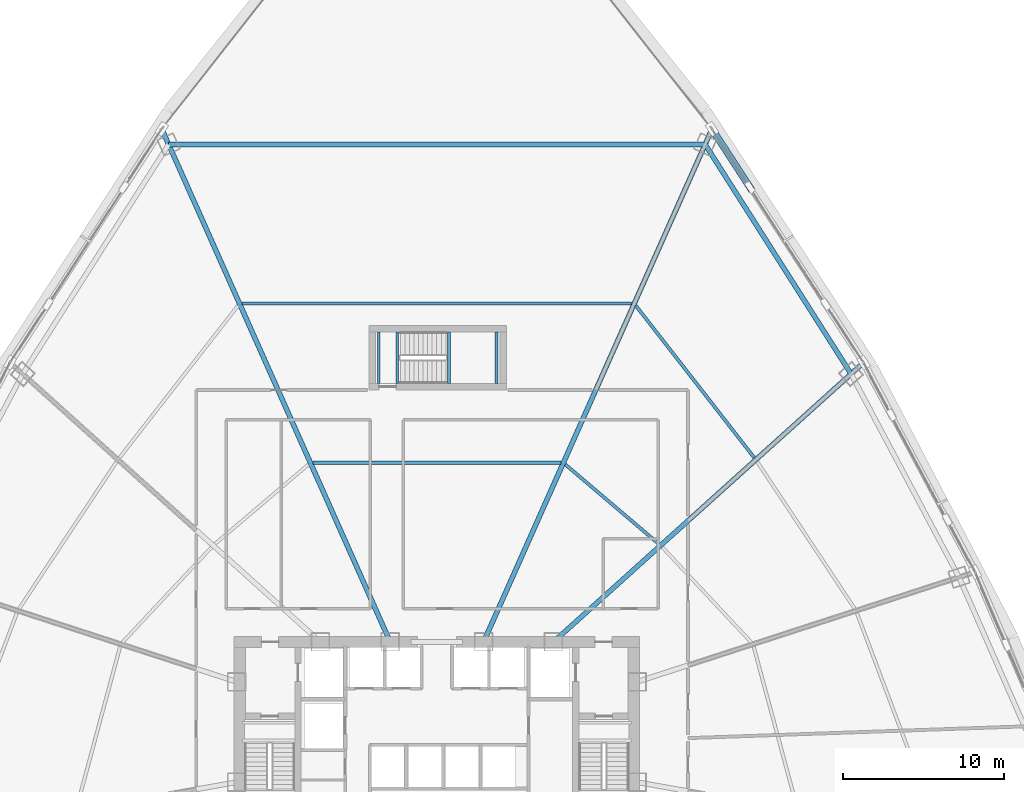
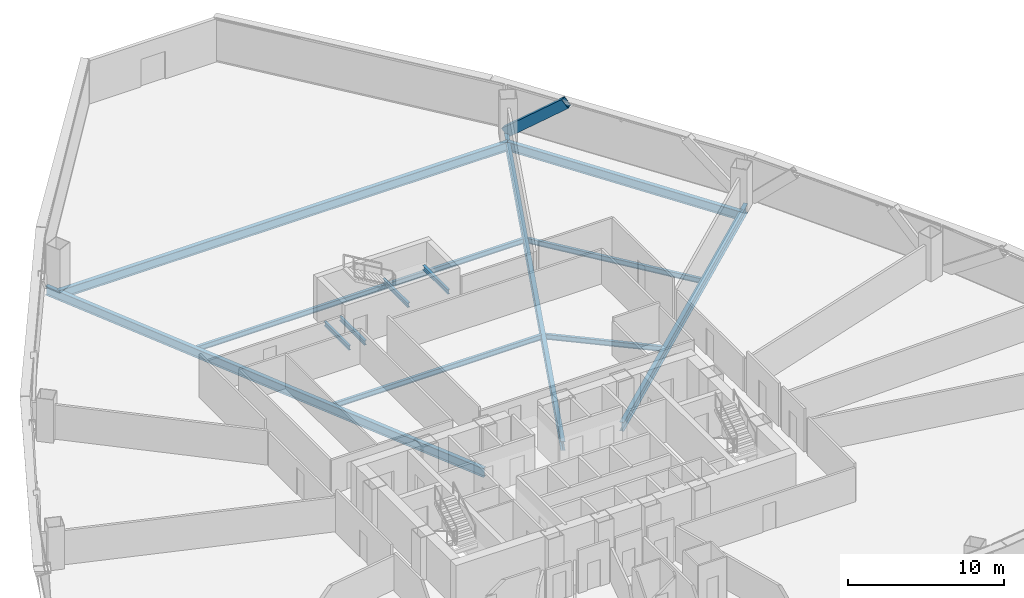
# One storey, part 19 of 41: 13 beams, 1 member.
"""IFC4 building model written with IfcOpenShell, lengths in metres."""

import ifcopenshell
import ifcopenshell.guid

model = None  # the IFC model being written
_history = None  # IfcOwnerHistory: only IFC2X3 demands one
_inside = {}  # id of a spatial element -> (the spatial element, [elements in it])
_under = {}  # id of a project, library or spatial element -> (it, [spatial elements below it])
_declared = {}  # id of a project -> (the project, [libraries it declares])
_typed = {}  # id of a type object -> (the type object, [elements of that type])
_made_of = {}  # id of a material, layer set ... -> (it, [elements and type objects made of it])


def new_model(schema):
    """Start an empty IFC model of exactly this schema.

    Asked for "IFC4X3", IfcOpenShell would pick the latest addendum, in which some entities
    have other attributes; the version numbers below select the first issue.
    IFC2X3 requires an IfcOwnerHistory on every rooted entity: one is made here for all.
    """
    global model, _history
    if schema == "IFC4X3":
        model = ifcopenshell.file(schema_version=(4, 3, 0, 0))
    else:
        model = ifcopenshell.file(schema=schema)
    _inside.clear()
    _under.clear()
    _declared.clear()
    _typed.clear()
    _made_of.clear()
    _history = None
    if model.schema == "IFC2X3":
        org = make("IfcOrganization", Name="unknown")
        user = make(
            "IfcPersonAndOrganization",
            ThePerson=make("IfcPerson", FamilyName="unknown"),
            TheOrganization=org,
        )
        app = make(
            "IfcApplication",
            ApplicationDeveloper=org,
            Version="unknown",
            ApplicationFullName="unknown",
            ApplicationIdentifier="unknown",
        )
        _history = make(
            "IfcOwnerHistory",
            OwningUser=user,
            OwningApplication=app,
            ChangeAction="ADDED",
            CreationDate=0,
        )
    return model


def make(cls, **values):
    """One entity of the class cls with the attributes given. An attribute that is None is left unset."""
    return model.create_entity(
        cls, **{name: value for name, value in values.items() if value is not None}
    )


def rooted(cls, **values):
    """An entity with a GlobalId (a new one), such as an element, a storey or a relation."""
    return make(cls, GlobalId=ifcopenshell.guid.new(), OwnerHistory=_history, **values)


def si_unit(unit_type, name, prefix=None):
    """IfcSIUnit, for example si_unit("LENGTHUNIT", "METRE", prefix="MILLI")."""
    return make("IfcSIUnit", UnitType=unit_type, Prefix=prefix, Name=name)


def assignment(units):
    """IfcUnitAssignment: the units of a project."""
    return None if units is None else make("IfcUnitAssignment", Units=units)


def point(xyz):
    """IfcCartesianPoint."""
    return None if xyz is None else make("IfcCartesianPoint", Coordinates=xyz)


def direction(xyz):
    """IfcDirection."""
    return None if xyz is None else make("IfcDirection", DirectionRatios=xyz)


def frame(location, z_axis=None, x_axis=None):
    """IfcAxis2Placement3D, a coordinate frame: its origin and axes. An axis left out is left unset."""
    return make(
        "IfcAxis2Placement3D",
        Location=point(location),
        Axis=direction(z_axis),
        RefDirection=direction(x_axis),
    )


def frame_2d(location, x_axis=None):
    """IfcAxis2Placement2D, a coordinate frame in the plane: its origin and x axis."""
    return make(
        "IfcAxis2Placement2D", Location=point(location), RefDirection=direction(x_axis)
    )


def origin():
    """The frame at (0, 0, 0) with its axes left unset."""
    return frame((0.0, 0.0, 0.0))


def origin_2d():
    """The frame at (0, 0) in the plane with its x axis left unset."""
    return frame_2d((0.0, 0.0))


def place(relative_to, where):
    """IfcLocalPlacement: puts the frame where relative to a parent placement (None: the world)."""
    return make(
        "IfcLocalPlacement", PlacementRelTo=relative_to, RelativePlacement=where
    )


def context(
    kind, dimensions, precision=None, world=None, true_north=None, identifier=None
):
    """IfcGeometricRepresentationContext, for example the 3D "Model" context."""
    return make(
        "IfcGeometricRepresentationContext",
        ContextIdentifier=identifier,
        ContextType=kind,
        CoordinateSpaceDimension=dimensions,
        Precision=precision,
        WorldCoordinateSystem=world,
        TrueNorth=true_north,
    )


def subcontext(parent, identifier, kind, view, scale=None):
    """IfcGeometricRepresentationSubContext, for example "Body" below "Model"."""
    return make(
        "IfcGeometricRepresentationSubContext",
        ContextIdentifier=identifier,
        ContextType=kind,
        ParentContext=parent,
        TargetScale=scale,
        TargetView=view,
    )


def project(units=None, contexts=None):
    """IfcProject with its units and contexts."""
    return rooted(
        "IfcProject",
        Name="project",
        RepresentationContexts=contexts,
        UnitsInContext=assignment(units),
    )


def spatial(cls, under=None, at=None, **own):
    """A site, building, storey or space (cls), placed at a placement, below another one or the project."""
    s = rooted(cls, ObjectPlacement=at, **own)
    if under is not None:
        _under.setdefault(under.id(), (under, []))[1].append(s)
    return s


def profile(cls, at=None, kind="AREA", **sizes):
    """A parametric profile (cls). Its sizes go by their IFC names, for example OverallWidth=200.0."""
    return make(cls, ProfileType=kind, Position=at, **sizes)


def hollow_rectangle(**sizes):
    """IfcRectangleHollowProfileDef."""
    return profile("IfcRectangleHollowProfileDef", **sizes)


def i_section(**sizes):
    """IfcIShapeProfileDef."""
    return profile("IfcIShapeProfileDef", **sizes)


def extrude(swept, where, along, depth):
    """IfcExtrudedAreaSolid: the profile swept, set in the frame where, extruded along a direction by depth."""
    return make(
        "IfcExtrudedAreaSolid",
        SweptArea=swept,
        Position=where,
        ExtrudedDirection=direction(along),
        Depth=depth,
    )


def shape(context_of_items, identifier, shape_type, items):
    """IfcShapeRepresentation: the items that make up one representation, for example the "Body"."""
    return make(
        "IfcShapeRepresentation",
        ContextOfItems=context_of_items,
        RepresentationIdentifier=identifier,
        RepresentationType=shape_type,
        Items=items,
    )


def source(mapping_origin, context_of_items, identifier, shape_type, items):
    """IfcRepresentationMap: a shape defined once, which mapped items show again and again."""
    return make(
        "IfcRepresentationMap",
        MappingOrigin=mapping_origin,
        MappedRepresentation=shape(context_of_items, identifier, shape_type, items),
    )


def transform(
    local_origin,
    x_axis=None,
    y_axis=None,
    z_axis=None,
    scale=None,
    scale2=None,
    scale3=None,
    uniform=True,
):
    """IfcCartesianTransformationOperator3D, or its non-uniform kind. x_axis, y_axis, z_axis: its Axis1, 2, 3."""
    if uniform:
        return make(
            "IfcCartesianTransformationOperator3D",
            Axis1=direction(x_axis),
            Axis2=direction(y_axis),
            LocalOrigin=point(local_origin),
            Scale=scale,
            Axis3=direction(z_axis),
        )
    return make(
        "IfcCartesianTransformationOperator3DnonUniform",
        Axis1=direction(x_axis),
        Axis2=direction(y_axis),
        LocalOrigin=point(local_origin),
        Scale=scale,
        Axis3=direction(z_axis),
        Scale2=scale2,
        Scale3=scale3,
    )


def mapped(mapping_source, mapping_target):
    """IfcMappedItem: shows the shape of a source again, moved by a transform."""
    return make(
        "IfcMappedItem", MappingSource=mapping_source, MappingTarget=mapping_target
    )


def material(Name=None, Category=None):
    """IfcMaterial."""
    return make("IfcMaterial", Name=Name, Category=Category)


def material_profile(
    of_material, cross_section, Name=None, Category=None, Priority=None
):
    """IfcMaterialProfile: a cross section and its material."""
    return make(
        "IfcMaterialProfile",
        Name=Name,
        Material=of_material,
        Profile=cross_section,
        Priority=Priority,
        Category=Category,
    )


def profile_set(profiles, Name=None, composite=None):
    """IfcMaterialProfileSet."""
    return make(
        "IfcMaterialProfileSet",
        Name=Name,
        MaterialProfiles=profiles,
        CompositeProfile=composite,
    )


def made_of(thing, what):
    """Note that an element or type object is made of a material, layer set ...; save() writes the relation."""
    if what is not None:
        _made_of.setdefault(what.id(), (what, []))[1].append(thing)
    return thing


def type_object(cls, material=None, **own):
    """A type object (cls), such as IfcWallType, which elements share."""
    return made_of(rooted(cls, **own), material)


def element(
    cls,
    number,
    at=None,
    inside=None,
    cuts=None,
    type_object=None,
    material=None,
    context=None,
    identifier="Body",
    shape_type=None,
    held_by="IfcProductDefinitionShape",
    body=None,
    shapes=None,
    **own,
):
    """One element of the class cls, such as IfcWall. Its Tag is "e" and its number.

    at: its placement. inside: the storey or other place that contains it. cuts: it is an
    opening in that element (IfcRelVoidsElement). A single representation is given by context,
    identifier, shape_type and body (its items); several are given by shapes. held_by: the class
    of the entity that holds the representations. save() writes the other relations.
    """
    e = rooted(cls, Tag="e%d" % number, ObjectPlacement=at, **own)
    if body is not None:
        shapes = [shape(context, identifier, shape_type, body)]
    if shapes is not None:
        e.Representation = make(held_by, Representations=shapes)
    if inside is not None:
        _inside.setdefault(inside.id(), (inside, []))[1].append(e)
    if cuts is not None:
        rooted(
            "IfcRelVoidsElement", RelatingBuildingElement=cuts, RelatedOpeningElement=e
        )
    if type_object is not None:
        _typed.setdefault(type_object.id(), (type_object, []))[1].append(e)
    return made_of(e, material)


def aggregate(whole, parts):
    """IfcRelAggregates: a whole, such as a stair, and the parts it consists of."""
    return rooted("IfcRelAggregates", RelatingObject=whole, RelatedObjects=parts)


def save(model, path):
    """Write the relations noted so far, then the file.

    IfcRelAggregates (storeys below a building ...), IfcRelContainedInSpatialStructure (elements
    in a storey), IfcRelDefinesByType, IfcRelAssociatesMaterial and IfcRelDeclares: one each for
    every whole, place, type object, material and project.
    """
    for whole, parts in _under.values():
        aggregate(whole, parts)
    for where, things in _inside.values():
        rooted(
            "IfcRelContainedInSpatialStructure",
            RelatedElements=things,
            RelatingStructure=where,
        )
    for kind, things in _typed.values():
        rooted("IfcRelDefinesByType", RelatedObjects=things, RelatingType=kind)
    for what, things in _made_of.values():
        rooted("IfcRelAssociatesMaterial", RelatedObjects=things, RelatingMaterial=what)
    for by, libraries in _declared.values():
        rooted("IfcRelDeclares", RelatingContext=by, RelatedDefinitions=libraries)
    model.write(path)


model = new_model("IFC4")

# Units and contexts
model_context = context("Model", 3, precision=1e-05, world=origin(), true_north=direction((0.0, 1.0)))
body_context = subcontext(model_context, "Body", "Model", "MODEL_VIEW")
ifc_project = project(units=[si_unit("LENGTHUNIT", "METRE"), si_unit("AREAUNIT", "SQUARE_METRE"), si_unit("VOLUMEUNIT", "CUBIC_METRE"), si_unit("PLANEANGLEUNIT", "RADIAN"), si_unit("MASSUNIT", "GRAM", prefix="KILO"), si_unit("THERMODYNAMICTEMPERATUREUNIT", "KELVIN"), si_unit("POWERUNIT", "WATT")], contexts=[model_context])

# Site, building, storey
site_placement = place(None, origin())
site = spatial("IfcSite", under=ifc_project, at=site_placement, CompositionType="ELEMENT")
building_placement = place(site_placement, origin())
building = spatial("IfcBuilding", under=site, at=building_placement, Name="Yunzhuo Pagoda Commons", CompositionType="ELEMENT")
storey_placement = place(building_placement, frame((0.0, 0.0, 63.070068359375)))
storey = spatial("IfcBuildingStorey", under=building, at=storey_placement, Name="L16", CompositionType="ELEMENT", Elevation=63.070068359375)

# Beams
ifc_material_1 = material(Name="Structural steel Q355B", Category="steel")
ifc_material_profile_1 = material_profile(ifc_material_1, i_section(OverallWidth=0.175048828125, OverallDepth=0.35009765625, WebThickness=0.007080078125, FlangeThickness=0.010986328125, at=origin_2d()), Name="Structural steel Q355B")
ifc_profile_set_1 = profile_set([ifc_material_profile_1], Name="Structural steel Q355B")
beam_type_1 = type_object("IfcBeamType", Name="B-JS2 Joist HN 350x175x7x11", PredefinedType="JOIST", material=ifc_profile_set_1)
shared_shape_1 = source(origin(), body_context, "Body", "SweptSolid", [
    extrude(i_section(OverallWidth=0.175048828125, OverallDepth=0.35009765625, WebThickness=0.007080078125, FlangeThickness=0.010986328125, at=origin_2d()), origin(), (0.0, 0.0, 1.0), 3.199951171875),
])
for number, where, z_axis, x_axis, name in (
    (1, (48.75, 56.199951171875, 1.43994140625), (0.0, 1.0, 0.0), (-1.0, 0.0, 0.0), "L16 ST3 landing support beam 20A"),
    (2, (51.699951171875, 56.199951171875, 1.43994140625), (0.0, 1.0, 0.0), (-1.0, 0.0, 0.0), "L16 ST3 landing support beam 20B"),
    (3, (44.39990234375, 56.199951171875, -0.375), (0.0, 1.0, 0.0), (-1.0, 0.0, 0.0), "L16 ST3 landing support beam 90A"),
    (4, (45.550048828125, 56.199951171875, -0.375), (0.0, 1.0, 0.0), (-1.0, 0.0, 0.0), "L16 ST3 landing support beam 90B"),
):
    element("IfcBeam", number, at=place(storey_placement, frame(where, z_axis=z_axis, x_axis=x_axis)), inside=storey, type_object=beam_type_1, Name=name, PredefinedType="JOIST", context=body_context, shape_type="MappedRepresentation", body=[
        mapped(shared_shape_1, transform((0.0, 0.0, 0.0), scale=1.0)),
    ])
ifc_material_profile_2 = material_profile(ifc_material_1, i_section(OverallWidth=0.300048828125, OverallDepth=0.699951171875, WebThickness=0.012939453125, FlangeThickness=0.02392578125, at=origin_2d()), Name="Structural steel Q355B")
ifc_profile_set_2 = profile_set([ifc_material_profile_2], Name="Structural steel Q355B")
beam_type_2 = type_object("IfcBeamType", Name="B-RG1 Beam HN 700x300x13x24", PredefinedType="BEAM", material=ifc_profile_set_2)
shared_shape_2 = source(origin(), body_context, "Body", "SweptSolid", [
    extrude(i_section(OverallWidth=0.300048828125, OverallDepth=0.699951171875, WebThickness=0.012939453125, FlangeThickness=0.02392578125, at=origin_2d()), origin(), (0.0, 0.0, 1.0), 16.843994140625),
])
beam_1_placement = place(storey_placement, frame((73.648681640625, 56.79443359375, -0.610107421875), z_axis=(-0.536558458992, 0.843863152462, 0.0), x_axis=(-0.843863152462, -0.536558458992, 0.0)))
element("IfcBeam", 5, at=beam_1_placement, inside=storey, type_object=beam_type_2, Name="L16 column-ring beam 7", PredefinedType="BEAM", context=body_context, shape_type="MappedRepresentation", body=[
    mapped(shared_shape_2, transform((0.0, 0.0, 0.0), scale=1.0)),
])
shared_shape_3 = source(origin(), body_context, "Body", "SweptSolid", [
    extrude(i_section(OverallWidth=0.300048828125, OverallDepth=0.699951171875, WebThickness=0.012939453125, FlangeThickness=0.02392578125, at=origin_2d()), origin(), (0.0, 0.0, 1.0), 33.2216796875),
])
beam_2_placement = place(storey_placement, frame((64.61083984375, 71.008544921875, -0.610107421875), z_axis=(-1.0, 0.0, 0.0), x_axis=(0.0, -1.0, 0.0)))
element("IfcBeam", 6, at=beam_2_placement, inside=storey, type_object=beam_type_2, Name="L16 column-ring beam 8", PredefinedType="BEAM", context=body_context, shape_type="MappedRepresentation", body=[
    mapped(shared_shape_3, transform((0.0, 0.0, 0.0), scale=1.0)),
])
ifc_material_profile_3 = material_profile(ifc_material_1, i_section(OverallWidth=0.199951171875, OverallDepth=0.39990234375, WebThickness=0.008056640625, FlangeThickness=0.012939453125, at=origin_2d()), Name="Structural steel Q355B")
ifc_profile_set_3 = profile_set([ifc_material_profile_3], Name="Structural steel Q355B")
beam_type_3 = type_object("IfcBeamType", Name="B-JS1 Joist HN 400x200x8x13", PredefinedType="JOIST", material=ifc_profile_set_3)
shared_shape_4 = source(origin(), body_context, "Body", "SweptSolid", [
    extrude(i_section(OverallWidth=0.199951171875, OverallDepth=0.39990234375, WebThickness=0.008056640625, FlangeThickness=0.012939453125, at=origin_2d()), origin(), (0.0, 0.0, 1.0), 7.583984375),
])
beam_3_placement = place(storey_placement, frame((61.732421875, 46.277099609375, -0.4599609375), z_axis=(-0.762037799133, 0.647532541803, 0.0), x_axis=(-0.647532541803, -0.762037799133, 0.0)))
element("IfcBeam", 7, at=beam_3_placement, inside=storey, type_object=beam_type_3, Name="L16 composite ring joist 1.7", PredefinedType="JOIST", context=body_context, shape_type="MappedRepresentation", body=[
    mapped(shared_shape_4, transform((0.0, 0.0, 0.0), scale=1.0)),
])
shared_shape_5 = source(origin(), body_context, "Body", "SweptSolid", [
    extrude(i_section(OverallWidth=0.199951171875, OverallDepth=0.39990234375, WebThickness=0.008056640625, FlangeThickness=0.012939453125, at=origin_2d()), origin(), (0.0, 0.0, 1.0), 11.9345703125),
])
beam_4_placement = place(storey_placement, frame((67.65380859375, 51.609619140625, -0.4599609375), z_axis=(-0.614572048085, 0.788860696012, 0.0), x_axis=(-0.788860696012, -0.614572048085, 0.0)))
element("IfcBeam", 8, at=beam_4_placement, inside=storey, type_object=beam_type_3, Name="L16 composite ring joist 2.7", PredefinedType="JOIST", context=body_context, shape_type="MappedRepresentation", body=[
    mapped(shared_shape_5, transform((0.0, 0.0, 0.0), scale=1.0)),
])
shared_shape_6 = source(origin(), body_context, "Body", "SweptSolid", [
    extrude(i_section(OverallWidth=0.199951171875, OverallDepth=0.39990234375, WebThickness=0.008056640625, FlangeThickness=0.012939453125, at=origin_2d()), origin(), (0.0, 0.0, 1.0), 15.34619140625),
])
beam_5_placement = place(storey_placement, frame((55.673095703125, 51.291015625, -0.4599609375), z_axis=(-1.0, 0.0, 0.0), x_axis=(0.0, -1.0, 0.0)))
element("IfcBeam", 9, at=beam_5_placement, inside=storey, type_object=beam_type_3, Name="L16 composite ring joist 1.8", PredefinedType="JOIST", context=body_context, shape_type="MappedRepresentation", body=[
    mapped(shared_shape_6, transform((0.0, 0.0, 0.0), scale=1.0)),
])
shared_shape_7 = source(origin(), body_context, "Body", "SweptSolid", [
    extrude(i_section(OverallWidth=0.199951171875, OverallDepth=0.39990234375, WebThickness=0.008056640625, FlangeThickness=0.012939453125, at=origin_2d()), origin(), (0.0, 0.0, 1.0), 24.125),
])
beam_6_placement = place(storey_placement, frame((60.0625, 61.14990234375, -0.4599609375), z_axis=(-1.0, 0.0, 0.0), x_axis=(0.0, -1.0, 0.0)))
element("IfcBeam", 10, at=beam_6_placement, inside=storey, type_object=beam_type_3, Name="L16 composite ring joist 2.8", PredefinedType="JOIST", context=body_context, shape_type="MappedRepresentation", body=[
    mapped(shared_shape_7, transform((0.0, 0.0, 0.0), scale=1.0)),
])
shared_shape_8 = source(origin(), body_context, "Body", "SweptSolid", [
    extrude(i_section(OverallWidth=0.300048828125, OverallDepth=0.699951171875, WebThickness=0.012939453125, FlangeThickness=0.02392578125, at=origin_2d()), origin(), (0.0, 0.0, 1.0), 25.694580078125),
])
beam_7_placement = place(storey_placement, frame((74.313720703125, 57.39306640625, -0.610107421875), z_axis=(-0.743141995852, -0.669133748963, 0.0), x_axis=(0.669133748963, -0.743141995852, 0.0)))
element("IfcBeam", 11, at=beam_7_placement, inside=storey, type_object=beam_type_2, Name="L16 radial floor girder F2C3", PredefinedType="BEAM", context=body_context, shape_type="MappedRepresentation", body=[
    mapped(shared_shape_8, transform((0.0, 0.0, 0.0), scale=1.0)),
])
shared_shape_9 = source(origin(), body_context, "Body", "SweptSolid", [
    extrude(i_section(OverallWidth=0.300048828125, OverallDepth=0.699951171875, WebThickness=0.012939453125, FlangeThickness=0.02392578125, at=origin_2d()), origin(), (0.0, 0.0, 1.0), 34.619384765625),
])
beam_8_placement = place(storey_placement, frame((64.97509765625, 71.826171875, -0.610107421875), z_axis=(-0.406740356088, -0.913543804494, 0.0), x_axis=(0.913543804494, -0.406740356088, 0.0)))
element("IfcBeam", 12, at=beam_8_placement, inside=storey, type_object=beam_type_2, Name="L16 radial floor girder F2C4", PredefinedType="BEAM", context=body_context, shape_type="MappedRepresentation", body=[
    mapped(shared_shape_9, transform((0.0, 0.0, 0.0), scale=1.0)),
])
shared_shape_10 = source(origin(), body_context, "Body", "SweptSolid", [
    extrude(i_section(OverallWidth=0.300048828125, OverallDepth=0.699951171875, WebThickness=0.012939453125, FlangeThickness=0.02392578125, at=origin_2d()), origin(), (0.0, 0.0, 1.0), 34.619140625),
])
beam_9_placement = place(storey_placement, frame((31.025390625, 71.826171875, -0.610107421875), z_axis=(0.406728585054, -0.913549045263, 0.0), x_axis=(0.913549045263, 0.406728585054, 0.0)))
element("IfcBeam", 13, at=beam_9_placement, inside=storey, type_object=beam_type_2, Name="L16 radial floor girder F3C1", PredefinedType="BEAM", context=body_context, shape_type="MappedRepresentation", body=[
    mapped(shared_shape_10, transform((0.0, 0.0, 0.0), scale=1.0)),
])

# Member
ifc_material_2 = material(Name="Structural steel Q420B", Category="steel")
ifc_material_profile_4 = material_profile(ifc_material_2, hollow_rectangle(XDim=0.419921875, YDim=0.719970703125, WallThickness=0.028076171875, at=origin_2d()), Name="Structural steel Q420B")
ifc_profile_set_4 = profile_set([ifc_material_profile_4], Name="Structural steel Q420B")
member_type = type_object("IfcMemberType", Name="M-DL1 Brace BOX 720x420x28", PredefinedType="BRACE", material=ifc_profile_set_4)
shared_shape_11 = source(origin(), body_context, "Body", "SweptSolid", [
    extrude(hollow_rectangle(XDim=0.419921875, YDim=0.719970703125, WallThickness=0.028076171875, at=origin_2d()), origin(), (0.0, 0.0, 1.0), 5.636962890625),
])
member_placement = place(storey_placement, frame((65.037841796875, 71.9677734375, -0.260009765625), z_axis=(0.416512705398, -0.641768250867, 0.643933753131), x_axis=(0.838823653709, 0.544403231051, 0.0)))
element("IfcMember", 14, at=member_placement, inside=storey, type_object=member_type, Name="L16 facade diamond brace F2.3R", PredefinedType="BRACE", context=body_context, shape_type="MappedRepresentation", body=[
    mapped(shared_shape_11, transform((0.0, 0.0, 0.0), scale=1.0)),
])

save(model, "model.ifc")
